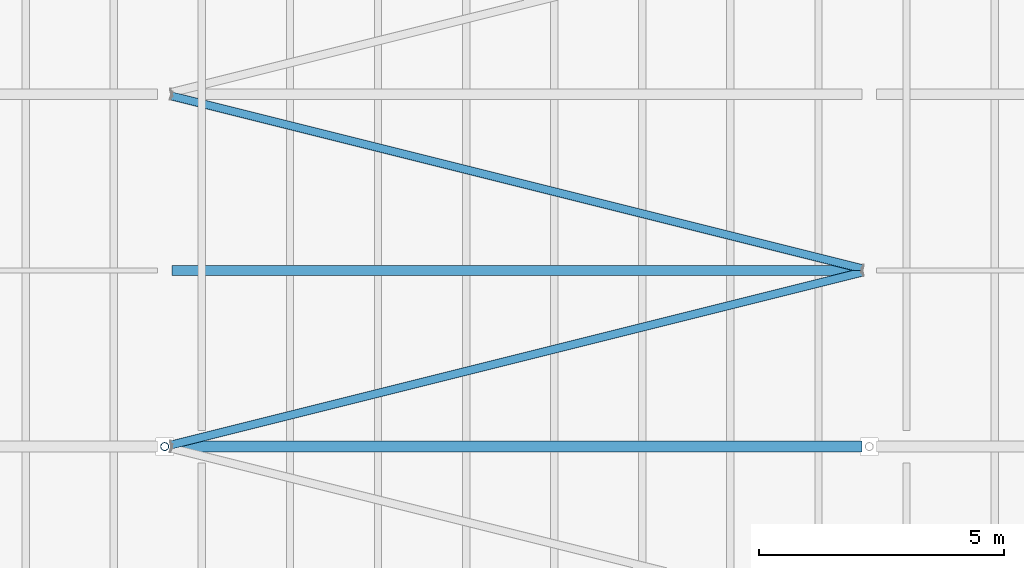
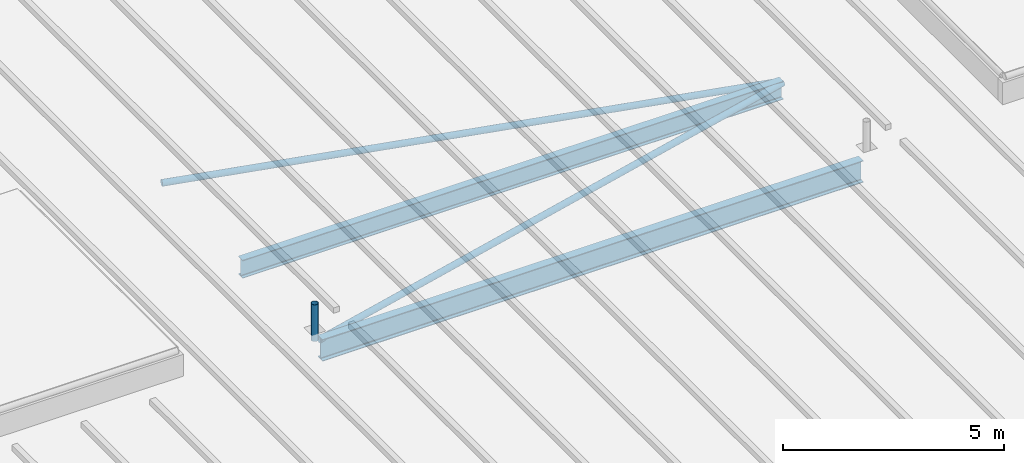
# One storey, part 30 of 120: 3 members, 2 beams.
"""IFC4 building model written with IfcOpenShell, lengths in metres."""

from ifc_helpers import new_model, si_unit, direction, frame, origin, origin_2d, place, context, subcontext, project, spatial, hollow_circle, i_section, extrude, material, material_profile, profile_set, type_object, element, save


model = new_model("IFC4")

# Units and contexts
model_context = context("Model", 3, precision=1e-05, world=origin(), true_north=direction((0.0, 1.0)))
body_context = subcontext(model_context, "Body", "Model", "MODEL_VIEW")
ifc_project = project(units=[si_unit("LENGTHUNIT", "METRE"), si_unit("AREAUNIT", "SQUARE_METRE"), si_unit("VOLUMEUNIT", "CUBIC_METRE"), si_unit("PLANEANGLEUNIT", "RADIAN"), si_unit("MASSUNIT", "GRAM", prefix="KILO")], contexts=[model_context])

# Site, building, storey
site_placement = place(None, origin())
site = spatial("IfcSite", under=ifc_project, at=site_placement, CompositionType="ELEMENT")
building_placement = place(site_placement, origin())
building = spatial("IfcBuilding", under=site, at=building_placement, Name="Kupolbacken Congress Centre", CompositionType="ELEMENT")
storey_placement = place(building_placement, frame((0.0, 0.0, 21.60009765625)))
storey = spatial("IfcBuildingStorey", under=building, at=storey_placement, Name="L06", CompositionType="ELEMENT", Elevation=21.60009765625)

# Beams
ifc_material_1 = material(Name="Steel S355", Category="steel")
ifc_material_profile_1 = material_profile(ifc_material_1, i_section(OverallWidth=0.199951171875, OverallDepth=0.5, WebThickness=0.01025390625, FlangeThickness=0.01611328125, FilletRadius=0.02099609375, at=origin_2d()), Name="IPE 500")
ifc_profile_set_1 = profile_set([ifc_material_profile_1], Name="Steel S355")
beam_type_1 = type_object("IfcBeamType", Name="B09 beam IPE 500", PredefinedType="BEAM", material=ifc_profile_set_1)
beam_1_placement = place(storey_placement, frame((122.544921875, 100.800048828125, -0.25), z_axis=(1.0, 0.0, 0.0), x_axis=(0.0, 1.0, 0.0)))
element("IfcBeam", 1, at=beam_1_placement, inside=storey, type_object=beam_type_1, Name="HR/P16-03", PredefinedType="BEAM", context=body_context, shape_type="SweptSolid", body=[
    extrude(i_section(OverallWidth=0.199951171875, OverallDepth=0.5, WebThickness=0.01025390625, FlangeThickness=0.01611328125, FilletRadius=0.02099609375, at=origin_2d()), origin(), (0.0, 0.0, 1.0), 14.110107421875),
])
ifc_material_2 = material(Name="Steel S355", Category="steel")
ifc_material_profile_2 = material_profile(ifc_material_2, i_section(OverallWidth=0.219970703125, OverallDepth=0.60009765625, WebThickness=0.011962890625, FlangeThickness=0.01904296875, FilletRadius=0.02392578125, at=origin_2d()), Name="IPE 600")
ifc_profile_set_2 = profile_set([ifc_material_profile_2], Name="Steel S355")
beam_type_2 = type_object("IfcBeamType", Name="B11 beam IPE 600", PredefinedType="BEAM", material=ifc_profile_set_2)
beam_2_placement = place(storey_placement, frame((122.544921875, 97.199951171875, -0.300048828125), z_axis=(1.0, 0.0, 0.0), x_axis=(0.0, 1.0, 0.0)))
element("IfcBeam", 2, at=beam_2_placement, inside=storey, type_object=beam_type_2, Name="HR/X15-03", PredefinedType="BEAM", context=body_context, shape_type="SweptSolid", body=[
    extrude(i_section(OverallWidth=0.219970703125, OverallDepth=0.60009765625, WebThickness=0.011962890625, FlangeThickness=0.01904296875, FilletRadius=0.02392578125, at=origin_2d()), origin(), (0.0, 0.0, 1.0), 14.110107421875),
])

# Members
ifc_material_3 = material(Name="Steel S355", Category="steel")
ifc_material_profile_3 = material_profile(ifc_material_3, hollow_circle(Radius=0.084228515625, WallThickness=0.008056640625, at=origin_2d()), Name="CHS 168.3 x 8")
ifc_profile_set_3 = profile_set([ifc_material_profile_3], Name="Steel S355")
member_type_1 = type_object("IfcMemberType", Name="M20 transfer truss post CHS 168.3 x 8", PredefinedType="STRUT", material=ifc_profile_set_3)
member_placement = place(storey_placement, frame((122.39990234375, 97.199951171875, -0.010009765625), z_axis=(0.0, 0.0, 1.0), x_axis=(1.0, 0.0, 0.0)))
element("IfcMember", 3, at=member_placement, inside=storey, type_object=member_type_1, Name="Roof stay anchor post M3N.1", PredefinedType="STRUT", context=body_context, shape_type="SweptSolid", body=[
    extrude(hollow_circle(Radius=0.084228515625, WallThickness=0.008056640625, at=origin_2d()), origin(), (0.0, 0.0, 1.0), 1.010009765625),
])
ifc_material_4 = material(Name="Steel S355", Category="steel")
ifc_material_profile_4 = material_profile(ifc_material_4, hollow_circle(Radius=0.084228515625, WallThickness=0.008056640625, at=origin_2d()), Name="CHS 168.3 x 8")
ifc_profile_set_4 = profile_set([ifc_material_profile_4], Name="Steel S355")
member_type_2 = type_object("IfcMemberType", Name="M21 brace CHS 168.3 x 8", PredefinedType="BRACE", material=ifc_profile_set_4)
for number, where, z_axis, x_axis, name in (
    (4, (122.540771484375, 97.235107421875, -0.084228515625), (0.970140526498, 0.24254351949, 0.0), (-0.24254351949, 0.970140526498, 0.0), "HR/RB/03-15"),
    (5, (136.659423828125, 100.835205078125, -0.084228515625), (-0.970144473737, 0.242527730535, 0.0), (-0.242527730535, -0.970144473737, 0.0), "HR/RB/03-16"),
):
    element("IfcMember", number, at=place(storey_placement, frame(where, z_axis=z_axis, x_axis=x_axis)), inside=storey, type_object=member_type_2, Name=name, PredefinedType="BRACE", context=body_context, shape_type="SweptSolid", body=[
        extrude(hollow_circle(Radius=0.084228515625, WallThickness=0.008056640625, at=origin_2d()), origin(), (0.0, 0.0, 1.0), 14.55322265625),
    ])

save(model, "model.ifc")
